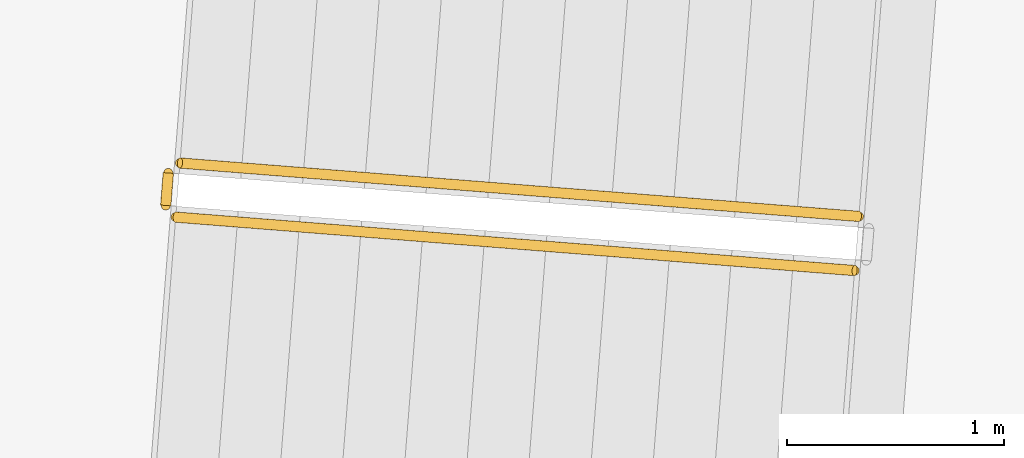
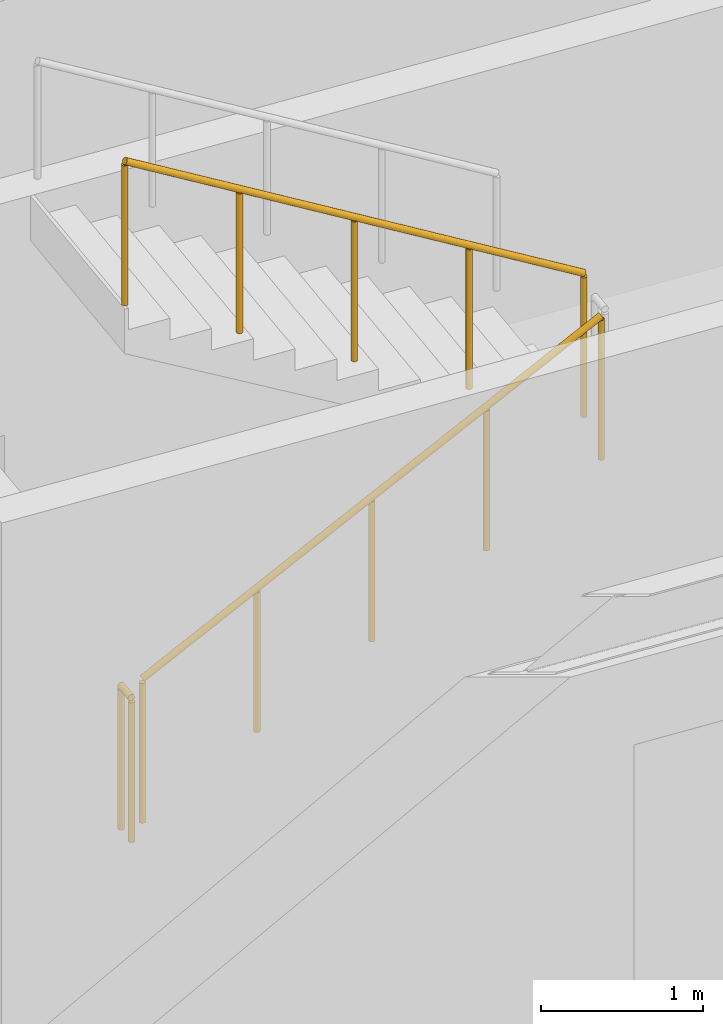
# One storey, part 136 of 150: 3 railings.
"""IFC4 building model written with IfcOpenShell, lengths in metres."""

from ifc_helpers import new_model, si_unit, direction, frame, origin, origin_2d, place, context, subcontext, project, spatial, circle, extrude, material, type_object, element, save


model = new_model("IFC4")

# Units and contexts
model_context = context("Model", 3, precision=1e-05, world=origin(), true_north=direction((0.0, 1.0)))
body_context = subcontext(model_context, "Body", "Model", "MODEL_VIEW")
ifc_project = project(units=[si_unit("LENGTHUNIT", "METRE"), si_unit("AREAUNIT", "SQUARE_METRE"), si_unit("VOLUMEUNIT", "CUBIC_METRE"), si_unit("PLANEANGLEUNIT", "RADIAN"), si_unit("MASSUNIT", "GRAM", prefix="KILO")], contexts=[model_context])

# Site, building, storey
site_placement = place(None, origin())
site = spatial("IfcSite", under=ifc_project, at=site_placement, CompositionType="ELEMENT")
building_placement = place(site_placement, origin())
building = spatial("IfcBuilding", under=site, at=building_placement, Name="Kestramere Prow Commons", CompositionType="ELEMENT")
storey_placement = place(building_placement, frame((0.0, 0.0, 4.5)))
storey = spatial("IfcBuildingStorey", under=building, at=storey_placement, Name="L01", CompositionType="ELEMENT", Elevation=4.5)

# Railings
ifc_material = material(Name="Galvanised Steel S275JR", Category="steel")
railing_type = type_object("IfcRailingType", Name="RL-ST-GR-1100", PredefinedType="GUARDRAIL", material=ifc_material)
railing_1_placement = place(storey_placement, frame((98.33740234375, 86.720703125, 0.16259765625)))
element("IfcRailing", 1, at=railing_1_placement, inside=storey, type_object=railing_type, Name="L01 ST-N2 stair guard 1", PredefinedType="GUARDRAIL", context=body_context, shape_type="SweptSolid", body=[
    extrude(circle(Radius=0.02392578125, at=origin_2d()), frame((0.0, 0.0, 1.076171875), z_axis=(0.866059679465, -0.068191544829, 0.495268154457), x_axis=(0.078494754173, 0.996914526711, 0.0)), (0.0, 0.0, 1.0), 3.60888671875),
    extrude(circle(Radius=0.02099609375, at=origin_2d()), origin(), (0.0, 0.0, 1.0), 1.052001953125),
    extrude(circle(Radius=0.02099609375, at=origin_2d()), frame((0.78125, -0.0615234375, 0.44677734375)), (0.0, 0.0, 1.0), 1.052001953125),
    extrude(circle(Radius=0.02099609375, at=origin_2d()), frame((1.562744140625, -0.123046875, 0.8935546875)), (0.0, 0.0, 1.0), 1.052001953125),
    extrude(circle(Radius=0.02099609375, at=origin_2d()), frame((2.34423828125, -0.1845703125, 1.340576171875)), (0.0, 0.0, 1.0), 1.052001953125),
    extrude(circle(Radius=0.02099609375, at=origin_2d()), frame((3.12548828125, -0.24609375, 1.787353515625)), (0.0, 0.0, 1.0), 1.052001953125),
])
railing_2_placement = place(storey_placement, frame((101.482421875, 86.723876953125, 2.112548828125)))
element("IfcRailing", 2, at=railing_2_placement, inside=storey, type_object=railing_type, Name="L01 ST-N2 stair guard 3", PredefinedType="GUARDRAIL", context=body_context, shape_type="SweptSolid", body=[
    extrude(circle(Radius=0.02392578125, at=origin_2d()), frame((0.0, 0.0, 1.076171875), z_axis=(-0.866063672801, 0.068124208601, 0.495270438101), x_axis=(-0.078417361485, -0.99692061741, 0.0)), (0.0, 0.0, 1.0), 3.60888671875),
    extrude(circle(Radius=0.02099609375, at=origin_2d()), origin(), (0.0, 0.0, 1.0), 1.052001953125),
    extrude(circle(Radius=0.02099609375, at=origin_2d()), frame((-0.78125, 0.0615234375, 0.44677734375)), (0.0, 0.0, 1.0), 1.052001953125),
    extrude(circle(Radius=0.02099609375, at=origin_2d()), frame((-1.562744140625, 0.123046875, 0.8935546875)), (0.0, 0.0, 1.0), 1.052001953125),
    extrude(circle(Radius=0.02099609375, at=origin_2d()), frame((-2.34423828125, 0.184326171875, 1.340576171875)), (0.0, 0.0, 1.0), 1.052001953125),
    extrude(circle(Radius=0.02099609375, at=origin_2d()), frame((-3.12548828125, 0.245849609375, 1.787353515625)), (0.0, 0.0, 1.0), 1.052001953125),
])
railing_3_placement = place(storey_placement, frame((98.29150390625, 86.7744140625, 0.0)))
element("IfcRailing", 3, at=railing_3_placement, inside=storey, type_object=railing_type, Name="L01 ST-N2 stair guard 4", PredefinedType="GUARDRAIL", context=body_context, shape_type="SweptSolid", body=[
    extrude(circle(Radius=0.02392578125, at=origin_2d()), frame((0.0, 0.0, 1.076171875), z_axis=(0.078191245319, 0.996938377813, 0.0), x_axis=(-0.996938377813, 0.078191245319, 0.0)), (0.0, 0.0, 1.0), 0.14990234375),
    extrude(circle(Radius=0.02099609375, at=origin_2d()), origin(), (0.0, 0.0, 1.0), 1.052001953125),
    extrude(circle(Radius=0.02099609375, at=origin_2d()), frame((0.01171875, 0.1494140625, 0.0)), (0.0, 0.0, 1.0), 1.052001953125),
])

save(model, "model.ifc")
